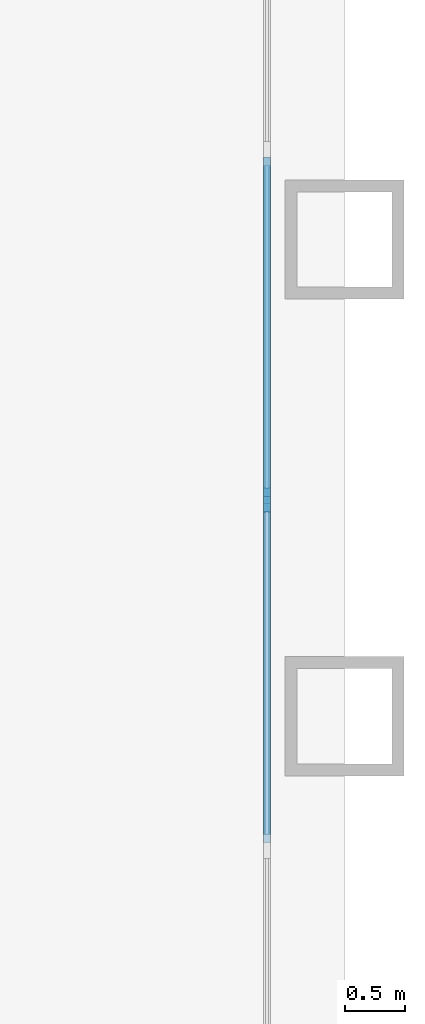
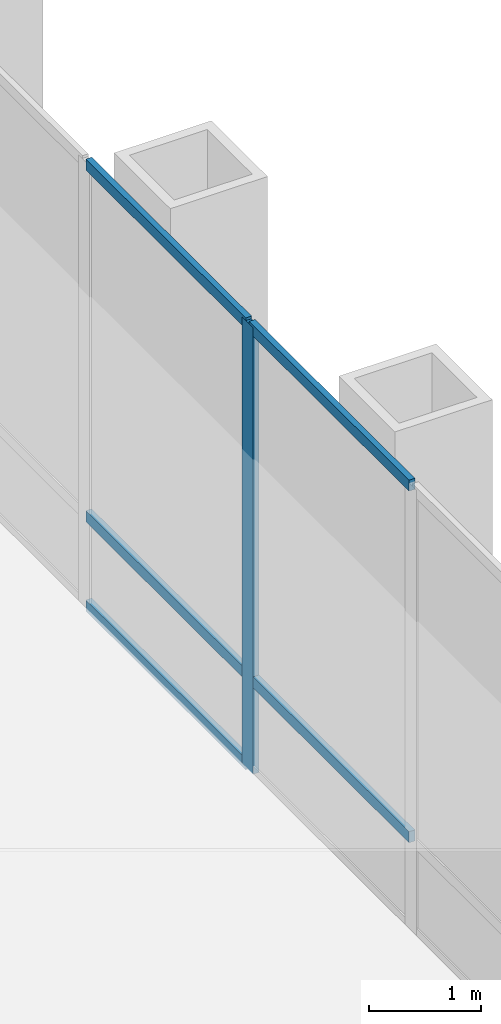
# One storey, part 6 of 16: 6 members, 1 element without a shape of its own.
"""IFC4 building model written with IfcOpenShell, lengths in metres."""

from ifc_helpers import new_model, si_unit, direction, frame, origin, origin_2d, place, context, subcontext, project, spatial, rectangle, extrude, material, material_profile, profile_set, type_object, element, aggregate, save


model = new_model("IFC4")

# Units and contexts
model_context = context("Model", 3, precision=1e-05, world=origin(), true_north=direction((0.0, 1.0)))
body_context = subcontext(model_context, "Body", "Model", "MODEL_VIEW")
ifc_project = project(units=[si_unit("LENGTHUNIT", "METRE"), si_unit("AREAUNIT", "SQUARE_METRE"), si_unit("VOLUMEUNIT", "CUBIC_METRE"), si_unit("PLANEANGLEUNIT", "RADIAN"), si_unit("MASSUNIT", "GRAM", prefix="KILO")], contexts=[model_context])

# Site, building, storey
site_placement = place(None, origin())
site = spatial("IfcSite", under=ifc_project, at=site_placement, CompositionType="ELEMENT")
building_placement = place(site_placement, origin())
building = spatial("IfcBuilding", under=site, at=building_placement, Name="Rimbunsela Tower", CompositionType="ELEMENT")
storey_placement = place(building_placement, frame((0.0, 0.0, 76.39990234375)))
storey = spatial("IfcBuildingStorey", under=building, at=storey_placement, Name="L18", CompositionType="ELEMENT", Elevation=76.39990234375)

# Curtain wall, members
ifc_material_1 = material(Name="Aluminium curtain wall", Category="aluminium")
curtain_wall_type = type_object("IfcCurtainWallType", Name="Sky lobby glazing", PredefinedType="USERDEFINED", material=ifc_material_1)
curtain_wall_placement = place(storey_placement, origin())
curtain_wall = element("IfcCurtainWall", 1, at=curtain_wall_placement, inside=storey, type_object=curtain_wall_type, Name="Sky lobby glazing L18", ObjectType="SKY LOBBY GLAZING", PredefinedType="USERDEFINED")
ifc_material_2 = material(Name="Aluminium mullion", Category="aluminium")
ifc_material_profile_1 = material_profile(ifc_material_2, rectangle(XDim=0.06005859375, YDim=0.199951171875, at=origin_2d()), Name="Mullion 60x200")
ifc_profile_set_1 = profile_set([ifc_material_profile_1], Name="Aluminium mullion")
member_type_1 = type_object("IfcMemberType", Name="Curtain wall mullion 60x200", PredefinedType="MULLION", material=ifc_profile_set_1)
member_1_placement = place(storey_placement, frame((57.35009765625, 29.814208984375, 0.0), z_axis=(0.0, 0.0, 1.0), x_axis=(-1.0, 0.0, 0.0)))
member_1 = element("IfcMember", 2, at=member_1_placement, type_object=member_type_1, Name="CW4 mullion 10", PredefinedType="MULLION", context=body_context, shape_type="SweptSolid", body=[
    extrude(rectangle(XDim=0.06005859375, YDim=0.199951171875, at=origin_2d()), origin(), (0.0, 0.0, 1.0), 4.85009765625),
])
ifc_material_3 = material(Name="Aluminium transom", Category="aluminium")
ifc_material_profile_2 = material_profile(ifc_material_3, rectangle(XDim=0.06005859375, YDim=0.1201171875, at=origin_2d()), Name="Transom 60x120")
ifc_profile_set_2 = profile_set([ifc_material_profile_2], Name="Aluminium transom")
member_type_2 = type_object("IfcMemberType", Name="Curtain wall transom 60x120", PredefinedType="USERDEFINED", material=ifc_profile_set_2)
member_2_placement = place(storey_placement, frame((57.35009765625, 26.937255859375, 1.0), z_axis=(0.0, 1.0, 0.0), x_axis=(-1.0, 0.0, 0.0)))
member_2 = element("IfcMember", 3, at=member_2_placement, type_object=member_type_2, Name="CW4 transom 9.2", ObjectType="TRANSOM", PredefinedType="USERDEFINED", context=body_context, shape_type="SweptSolid", body=[
    extrude(rectangle(XDim=0.06005859375, YDim=0.1201171875, at=origin_2d()), origin(), (0.0, 0.0, 1.0), 2.846923828125),
])
member_3_placement = place(storey_placement, frame((57.35009765625, 26.937255859375, 4.820068359375), z_axis=(0.0, 1.0, 0.0), x_axis=(-1.0, 0.0, 0.0)))
member_3 = element("IfcMember", 4, at=member_3_placement, type_object=member_type_2, Name="CW4 transom 9.3", ObjectType="TRANSOM", PredefinedType="USERDEFINED", context=body_context, shape_type="SweptSolid", body=[
    extrude(rectangle(XDim=0.06005859375, YDim=0.1201171875, at=origin_2d()), origin(), (0.0, 0.0, 1.0), 2.846923828125),
])
member_4_placement = place(storey_placement, frame((57.35009765625, 29.84423828125, 0.030029296875), z_axis=(0.0, 1.0, 0.0), x_axis=(-1.0, 0.0, 0.0)))
member_4 = element("IfcMember", 5, at=member_4_placement, type_object=member_type_2, Name="CW4 transom 10.1", ObjectType="TRANSOM", PredefinedType="USERDEFINED", context=body_context, shape_type="SweptSolid", body=[
    extrude(rectangle(XDim=0.06005859375, YDim=0.1201171875, at=origin_2d()), origin(), (0.0, 0.0, 1.0), 2.84716796875),
])
member_5_placement = place(storey_placement, frame((57.35009765625, 29.84423828125, 1.0), z_axis=(0.0, 1.0, 0.0), x_axis=(-1.0, 0.0, 0.0)))
member_5 = element("IfcMember", 6, at=member_5_placement, type_object=member_type_2, Name="CW4 transom 10.2", ObjectType="TRANSOM", PredefinedType="USERDEFINED", context=body_context, shape_type="SweptSolid", body=[
    extrude(rectangle(XDim=0.06005859375, YDim=0.1201171875, at=origin_2d()), origin(), (0.0, 0.0, 1.0), 2.84716796875),
])
member_6_placement = place(storey_placement, frame((57.35009765625, 29.84423828125, 4.820068359375), z_axis=(0.0, 1.0, 0.0), x_axis=(-1.0, 0.0, 0.0)))
member_6 = element("IfcMember", 7, at=member_6_placement, type_object=member_type_2, Name="CW4 transom 10.3", ObjectType="TRANSOM", PredefinedType="USERDEFINED", context=body_context, shape_type="SweptSolid", body=[
    extrude(rectangle(XDim=0.06005859375, YDim=0.1201171875, at=origin_2d()), origin(), (0.0, 0.0, 1.0), 2.84716796875),
])
aggregate(curtain_wall, [member_1, member_2, member_3, member_4, member_5, member_6])

save(model, "model.ifc")
